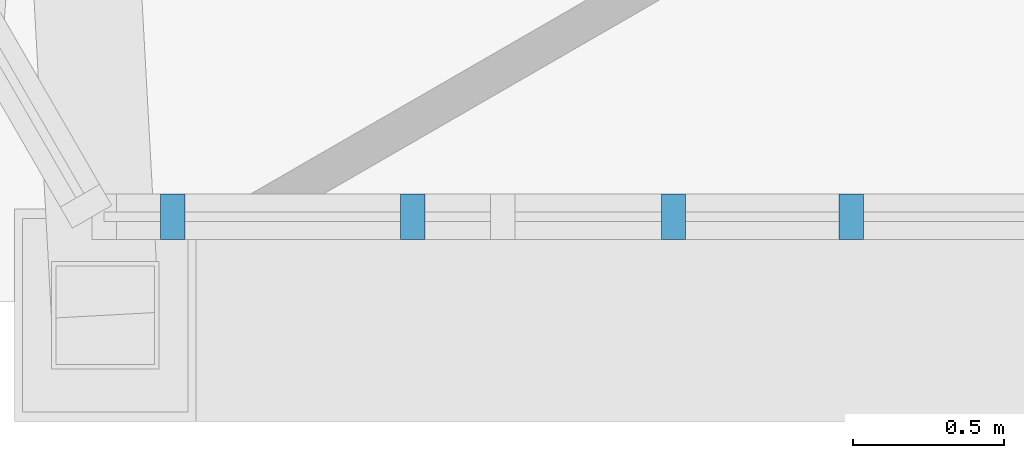
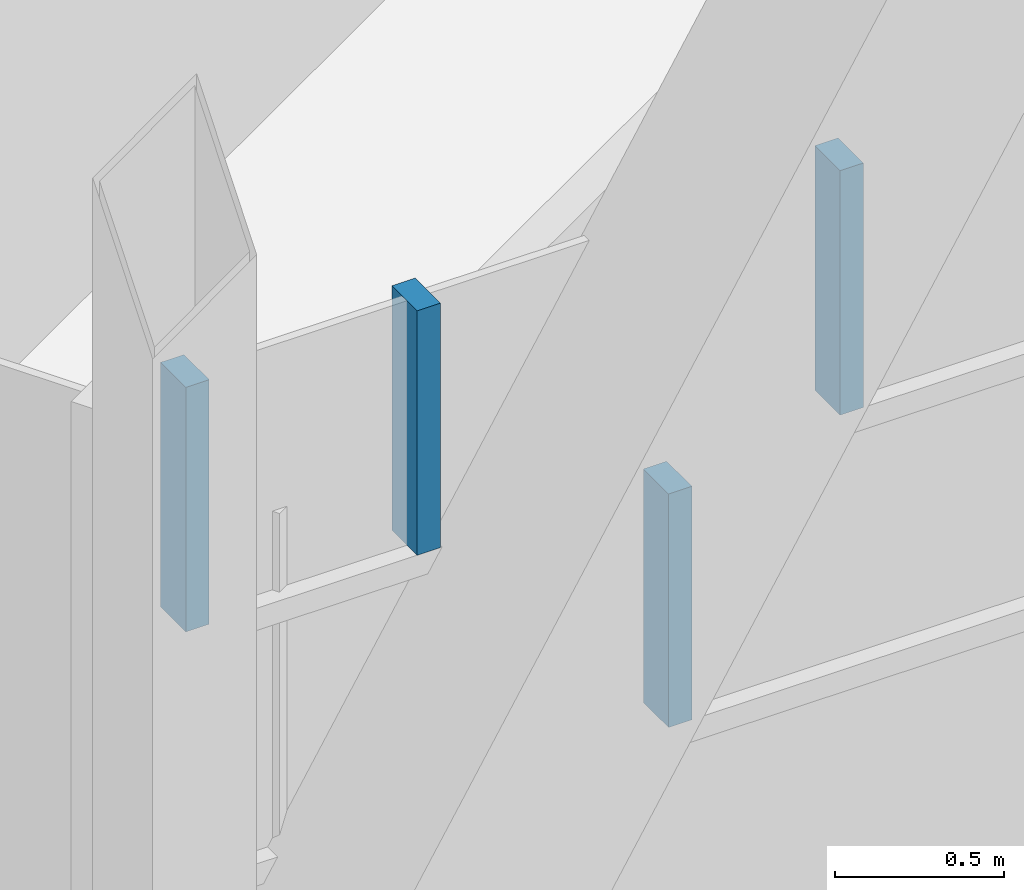
# One storey, part 8 of 21: 4 members, 1 element without a shape of its own.
"""IFC4 building model written with IfcOpenShell, lengths in metres."""

import ifcopenshell
import ifcopenshell.guid

model = None  # the IFC model being written
_history = None  # IfcOwnerHistory: only IFC2X3 demands one
_inside = {}  # id of a spatial element -> (the spatial element, [elements in it])
_under = {}  # id of a project, library or spatial element -> (it, [spatial elements below it])
_declared = {}  # id of a project -> (the project, [libraries it declares])
_typed = {}  # id of a type object -> (the type object, [elements of that type])
_made_of = {}  # id of a material, layer set ... -> (it, [elements and type objects made of it])


def new_model(schema):
    """Start an empty IFC model of exactly this schema.

    Asked for "IFC4X3", IfcOpenShell would pick the latest addendum, in which some entities
    have other attributes; the version numbers below select the first issue.
    IFC2X3 requires an IfcOwnerHistory on every rooted entity: one is made here for all.
    """
    global model, _history
    if schema == "IFC4X3":
        model = ifcopenshell.file(schema_version=(4, 3, 0, 0))
    else:
        model = ifcopenshell.file(schema=schema)
    _inside.clear()
    _under.clear()
    _declared.clear()
    _typed.clear()
    _made_of.clear()
    _history = None
    if model.schema == "IFC2X3":
        org = make("IfcOrganization", Name="unknown")
        user = make(
            "IfcPersonAndOrganization",
            ThePerson=make("IfcPerson", FamilyName="unknown"),
            TheOrganization=org,
        )
        app = make(
            "IfcApplication",
            ApplicationDeveloper=org,
            Version="unknown",
            ApplicationFullName="unknown",
            ApplicationIdentifier="unknown",
        )
        _history = make(
            "IfcOwnerHistory",
            OwningUser=user,
            OwningApplication=app,
            ChangeAction="ADDED",
            CreationDate=0,
        )
    return model


def make(cls, **values):
    """One entity of the class cls with the attributes given. An attribute that is None is left unset."""
    return model.create_entity(
        cls, **{name: value for name, value in values.items() if value is not None}
    )


def rooted(cls, **values):
    """An entity with a GlobalId (a new one), such as an element, a storey or a relation."""
    return make(cls, GlobalId=ifcopenshell.guid.new(), OwnerHistory=_history, **values)


def si_unit(unit_type, name, prefix=None):
    """IfcSIUnit, for example si_unit("LENGTHUNIT", "METRE", prefix="MILLI")."""
    return make("IfcSIUnit", UnitType=unit_type, Prefix=prefix, Name=name)


def assignment(units):
    """IfcUnitAssignment: the units of a project."""
    return None if units is None else make("IfcUnitAssignment", Units=units)


def point(xyz):
    """IfcCartesianPoint."""
    return None if xyz is None else make("IfcCartesianPoint", Coordinates=xyz)


def direction(xyz):
    """IfcDirection."""
    return None if xyz is None else make("IfcDirection", DirectionRatios=xyz)


def frame(location, z_axis=None, x_axis=None):
    """IfcAxis2Placement3D, a coordinate frame: its origin and axes. An axis left out is left unset."""
    return make(
        "IfcAxis2Placement3D",
        Location=point(location),
        Axis=direction(z_axis),
        RefDirection=direction(x_axis),
    )


def frame_2d(location, x_axis=None):
    """IfcAxis2Placement2D, a coordinate frame in the plane: its origin and x axis."""
    return make(
        "IfcAxis2Placement2D", Location=point(location), RefDirection=direction(x_axis)
    )


def origin():
    """The frame at (0, 0, 0) with its axes left unset."""
    return frame((0.0, 0.0, 0.0))


def origin_2d():
    """The frame at (0, 0) in the plane with its x axis left unset."""
    return frame_2d((0.0, 0.0))


def place(relative_to, where):
    """IfcLocalPlacement: puts the frame where relative to a parent placement (None: the world)."""
    return make(
        "IfcLocalPlacement", PlacementRelTo=relative_to, RelativePlacement=where
    )


def context(
    kind, dimensions, precision=None, world=None, true_north=None, identifier=None
):
    """IfcGeometricRepresentationContext, for example the 3D "Model" context."""
    return make(
        "IfcGeometricRepresentationContext",
        ContextIdentifier=identifier,
        ContextType=kind,
        CoordinateSpaceDimension=dimensions,
        Precision=precision,
        WorldCoordinateSystem=world,
        TrueNorth=true_north,
    )


def subcontext(parent, identifier, kind, view, scale=None):
    """IfcGeometricRepresentationSubContext, for example "Body" below "Model"."""
    return make(
        "IfcGeometricRepresentationSubContext",
        ContextIdentifier=identifier,
        ContextType=kind,
        ParentContext=parent,
        TargetScale=scale,
        TargetView=view,
    )


def project(units=None, contexts=None):
    """IfcProject with its units and contexts."""
    return rooted(
        "IfcProject",
        Name="project",
        RepresentationContexts=contexts,
        UnitsInContext=assignment(units),
    )


def spatial(cls, under=None, at=None, **own):
    """A site, building, storey or space (cls), placed at a placement, below another one or the project."""
    s = rooted(cls, ObjectPlacement=at, **own)
    if under is not None:
        _under.setdefault(under.id(), (under, []))[1].append(s)
    return s


def profile(cls, at=None, kind="AREA", **sizes):
    """A parametric profile (cls). Its sizes go by their IFC names, for example OverallWidth=200.0."""
    return make(cls, ProfileType=kind, Position=at, **sizes)


def rectangle(**sizes):
    """IfcRectangleProfileDef."""
    return profile("IfcRectangleProfileDef", **sizes)


def extrude(swept, where, along, depth):
    """IfcExtrudedAreaSolid: the profile swept, set in the frame where, extruded along a direction by depth."""
    return make(
        "IfcExtrudedAreaSolid",
        SweptArea=swept,
        Position=where,
        ExtrudedDirection=direction(along),
        Depth=depth,
    )


def shape(context_of_items, identifier, shape_type, items):
    """IfcShapeRepresentation: the items that make up one representation, for example the "Body"."""
    return make(
        "IfcShapeRepresentation",
        ContextOfItems=context_of_items,
        RepresentationIdentifier=identifier,
        RepresentationType=shape_type,
        Items=items,
    )


def material(Name=None, Category=None):
    """IfcMaterial."""
    return make("IfcMaterial", Name=Name, Category=Category)


def layer(
    of_material, thickness, ventilated=None, Name=None, Category=None, Priority=None
):
    """IfcMaterialLayer: one layer of a wall or slab, of a material (None: an air gap)."""
    return make(
        "IfcMaterialLayer",
        Material=of_material,
        LayerThickness=thickness,
        IsVentilated=ventilated,
        Name=Name,
        Category=Category,
        Priority=Priority,
    )


def layer_set(layers, Name=None):
    """IfcMaterialLayerSet."""
    return make("IfcMaterialLayerSet", MaterialLayers=layers, LayerSetName=Name)


def material_profile(
    of_material, cross_section, Name=None, Category=None, Priority=None
):
    """IfcMaterialProfile: a cross section and its material."""
    return make(
        "IfcMaterialProfile",
        Name=Name,
        Material=of_material,
        Profile=cross_section,
        Priority=Priority,
        Category=Category,
    )


def profile_set(profiles, Name=None, composite=None):
    """IfcMaterialProfileSet."""
    return make(
        "IfcMaterialProfileSet",
        Name=Name,
        MaterialProfiles=profiles,
        CompositeProfile=composite,
    )


def made_of(thing, what):
    """Note that an element or type object is made of a material, layer set ...; save() writes the relation."""
    if what is not None:
        _made_of.setdefault(what.id(), (what, []))[1].append(thing)
    return thing


def type_object(cls, material=None, **own):
    """A type object (cls), such as IfcWallType, which elements share."""
    return made_of(rooted(cls, **own), material)


def element(
    cls,
    number,
    at=None,
    inside=None,
    cuts=None,
    type_object=None,
    material=None,
    context=None,
    identifier="Body",
    shape_type=None,
    held_by="IfcProductDefinitionShape",
    body=None,
    shapes=None,
    **own,
):
    """One element of the class cls, such as IfcWall. Its Tag is "e" and its number.

    at: its placement. inside: the storey or other place that contains it. cuts: it is an
    opening in that element (IfcRelVoidsElement). A single representation is given by context,
    identifier, shape_type and body (its items); several are given by shapes. held_by: the class
    of the entity that holds the representations. save() writes the other relations.
    """
    e = rooted(cls, Tag="e%d" % number, ObjectPlacement=at, **own)
    if body is not None:
        shapes = [shape(context, identifier, shape_type, body)]
    if shapes is not None:
        e.Representation = make(held_by, Representations=shapes)
    if inside is not None:
        _inside.setdefault(inside.id(), (inside, []))[1].append(e)
    if cuts is not None:
        rooted(
            "IfcRelVoidsElement", RelatingBuildingElement=cuts, RelatedOpeningElement=e
        )
    if type_object is not None:
        _typed.setdefault(type_object.id(), (type_object, []))[1].append(e)
    return made_of(e, material)


def aggregate(whole, parts):
    """IfcRelAggregates: a whole, such as a stair, and the parts it consists of."""
    return rooted("IfcRelAggregates", RelatingObject=whole, RelatedObjects=parts)


def save(model, path):
    """Write the relations noted so far, then the file.

    IfcRelAggregates (storeys below a building ...), IfcRelContainedInSpatialStructure (elements
    in a storey), IfcRelDefinesByType, IfcRelAssociatesMaterial and IfcRelDeclares: one each for
    every whole, place, type object, material and project.
    """
    for whole, parts in _under.values():
        aggregate(whole, parts)
    for where, things in _inside.values():
        rooted(
            "IfcRelContainedInSpatialStructure",
            RelatedElements=things,
            RelatingStructure=where,
        )
    for kind, things in _typed.values():
        rooted("IfcRelDefinesByType", RelatedObjects=things, RelatingType=kind)
    for what, things in _made_of.values():
        rooted("IfcRelAssociatesMaterial", RelatedObjects=things, RelatingMaterial=what)
    for by, libraries in _declared.values():
        rooted("IfcRelDeclares", RelatingContext=by, RelatedDefinitions=libraries)
    model.write(path)


model = new_model("IFC4")

# Units and contexts
model_context = context("Model", 3, precision=1e-05, world=origin(), true_north=direction((0.0, 1.0)))
body_context = subcontext(model_context, "Body", "Model", "MODEL_VIEW")
ifc_project = project(units=[si_unit("LENGTHUNIT", "METRE"), si_unit("AREAUNIT", "SQUARE_METRE"), si_unit("VOLUMEUNIT", "CUBIC_METRE"), si_unit("PLANEANGLEUNIT", "RADIAN"), si_unit("MASSUNIT", "GRAM", prefix="KILO")], contexts=[model_context])

# Site, building, storey
site_placement = place(None, origin())
site = spatial("IfcSite", under=ifc_project, at=site_placement, CompositionType="ELEMENT")
building_placement = place(site_placement, origin())
building = spatial("IfcBuilding", under=site, at=building_placement, Name="Firuza Gate Tower and Library", CompositionType="ELEMENT")
storey_placement = place(building_placement, frame((0.0, 0.0, 281.10009765625)))
storey = spatial("IfcBuildingStorey", under=building, at=storey_placement, Name="L67", CompositionType="ELEMENT", Elevation=281.10009765625)

# Curtain wall, members
ifc_material_1 = material(Name="Aluminium 6063-T6", Category="aluminium")
ifc_layer = layer(ifc_material_1, 0.14990234375)
ifc_layer_set = layer_set([ifc_layer], Name="Unitised curtain wall, residences")
curtain_wall_type = type_object("IfcCurtainWallType", Name="Unitised curtain wall, residences", PredefinedType="NOTDEFINED", material=ifc_layer_set)
curtain_wall_placement = place(storey_placement, origin())
curtain_wall = element("IfcCurtainWall", 1, at=curtain_wall_placement, inside=storey, type_object=curtain_wall_type, Name="CW3 L67 S face", PredefinedType="NOTDEFINED")
ifc_material_2 = material(Name="Aluminium 6063-T6", Category="aluminium")
ifc_material_profile = material_profile(ifc_material_2, rectangle(XDim=0.14990234375, YDim=0.080078125, at=origin_2d()))
ifc_profile_set = profile_set([ifc_material_profile], Name="Aluminium 6063-T6")
member_type = type_object("IfcMemberType", Name="Curtain wall mullion 80x150", PredefinedType="MULLION", material=ifc_profile_set)
member_1_placement = place(storey_placement, frame((54.512939453125, 57.85693359375, 1.489990234375), z_axis=(0.0, 0.0, 1.0), x_axis=(0.0, 1.0, 0.0)))
member_1 = element("IfcMember", 2, at=member_1_placement, type_object=member_type, Name="Mullion", PredefinedType="MULLION", context=body_context, shape_type="SweptSolid", body=[
    extrude(rectangle(XDim=0.14990234375, YDim=0.080078125, at=origin_2d()), origin(), (0.0, 0.0, 1.0), 0.844970703125),
])
member_2_placement = place(storey_placement, frame((52.860107421875, 57.85693359375, 2.414794921875), z_axis=(0.0, 0.0, 1.0), x_axis=(0.0, 1.0, 0.0)))
member_2 = element("IfcMember", 3, at=member_2_placement, type_object=member_type, Name="Mullion", PredefinedType="MULLION", context=body_context, shape_type="SweptSolid", body=[
    extrude(rectangle(XDim=0.14990234375, YDim=0.080078125, at=origin_2d()), origin(), (0.0, 0.0, 1.0), 0.885009765625),
])
member_3_placement = place(storey_placement, frame((53.652099609375, 57.85693359375, 2.414794921875), z_axis=(0.0, 0.0, 1.0), x_axis=(0.0, 1.0, 0.0)))
member_3 = element("IfcMember", 4, at=member_3_placement, type_object=member_type, Name="Mullion", PredefinedType="MULLION", context=body_context, shape_type="SweptSolid", body=[
    extrude(rectangle(XDim=0.14990234375, YDim=0.080078125, at=origin_2d()), origin(), (0.0, 0.0, 1.0), 0.885009765625),
])
member_4_placement = place(storey_placement, frame((55.10009765625, 57.85693359375, 2.414794921875), z_axis=(0.0, 0.0, 1.0), x_axis=(0.0, 1.0, 0.0)))
member_4 = element("IfcMember", 5, at=member_4_placement, type_object=member_type, Name="Mullion", PredefinedType="MULLION", context=body_context, shape_type="SweptSolid", body=[
    extrude(rectangle(XDim=0.14990234375, YDim=0.080078125, at=origin_2d()), origin(), (0.0, 0.0, 1.0), 0.885009765625),
])
aggregate(curtain_wall, [member_1, member_2, member_3, member_4])

save(model, "model.ifc")
